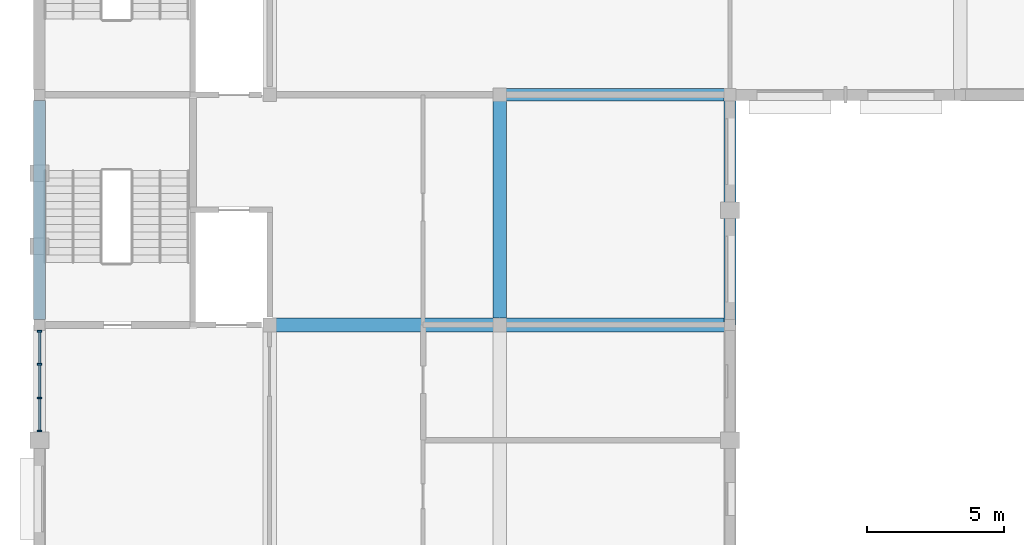
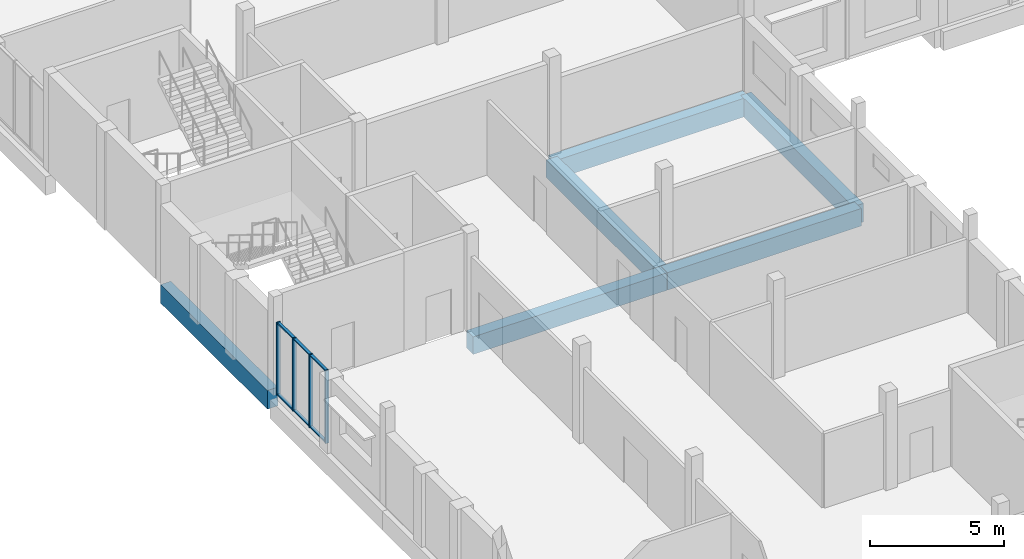
# One storey, part 6 of 38: 10 members, 6 beams, 1 element without a shape of its own.
"""IFC4 building model written with IfcOpenShell, lengths in metres."""

from ifc_helpers import new_model, si_unit, direction, frame, origin, origin_2d, place, context, subcontext, project, spatial, rectangle, extrude, material, material_profile, profile_set, type_object, element, aggregate, save


model = new_model("IFC4")

# Units and contexts
model_context = context("Model", 3, precision=1e-05, world=origin(), true_north=direction((0.0, 1.0)))
body_context = subcontext(model_context, "Body", "Model", "MODEL_VIEW")
ifc_project = project(units=[si_unit("LENGTHUNIT", "METRE"), si_unit("AREAUNIT", "SQUARE_METRE"), si_unit("VOLUMEUNIT", "CUBIC_METRE"), si_unit("PLANEANGLEUNIT", "RADIAN"), si_unit("MASSUNIT", "GRAM", prefix="KILO")], contexts=[model_context])

# Site, building, storey
site_placement = place(None, origin())
site = spatial("IfcSite", under=ifc_project, at=site_placement, CompositionType="ELEMENT")
building_placement = place(site_placement, origin())
building = spatial("IfcBuilding", under=site, at=building_placement, Name="Fescue Hill Polytechnic", CompositionType="ELEMENT")
storey_placement = place(building_placement, frame((0.0, 0.0, 18.0)))
storey = spatial("IfcBuildingStorey", under=building, at=storey_placement, Name="L04", CompositionType="ELEMENT", Elevation=18.0)

# Beams
ifc_material_1 = material(Name="Concrete 35 MPa", Category="concrete")
ifc_material_profile_1 = material_profile(ifc_material_1, rectangle(XDim=0.449951171875, YDim=0.85009765625, at=origin_2d()), Name="RC 450x850")
ifc_profile_set_1 = profile_set([ifc_material_profile_1], Name="Concrete 35 MPa")
beam_type_1 = type_object("IfcBeamType", Name="Beam RC 450x850", PredefinedType="BEAM", material=ifc_profile_set_1)
for number, where, z_axis, x_axis, name in (
    (1, (16.800048828125, 109.199951171875, -0.72509765625), (1.0, 0.0, 0.0), (0.0, 1.0, 0.0), "BM-L04-0039"),
    (2, (25.199951171875, 100.800048828125, -0.72509765625), (0.0, 1.0, 0.0), (-1.0, 0.0, 0.0), "BM-L04-0055"),
):
    element("IfcBeam", number, at=place(storey_placement, frame(where, z_axis=z_axis, x_axis=x_axis)), inside=storey, type_object=beam_type_1, Name=name, PredefinedType="BEAM", context=body_context, shape_type="SweptSolid", body=[
        extrude(rectangle(XDim=0.449951171875, YDim=0.85009765625, at=origin_2d()), origin(), (0.0, 0.0, 1.0), 8.39990234375),
    ])
beam_1_placement = place(storey_placement, frame((0.0, 101.0, -0.425048828125), z_axis=(0.0, 1.0, 0.0), x_axis=(-1.0, 0.0, 0.0)))
element("IfcBeam", 3, at=beam_1_placement, inside=storey, type_object=beam_type_1, Name="BM-L04-0122", PredefinedType="BEAM", context=body_context, shape_type="SweptSolid", body=[
    extrude(rectangle(XDim=0.449951171875, YDim=0.85009765625, at=origin_2d()), origin(), (0.0, 0.0, 1.0), 8.0),
])
ifc_material_profile_2 = material_profile(ifc_material_1, rectangle(XDim=0.5, YDim=0.800048828125, at=origin_2d()), Name="RC 500x800")
ifc_profile_set_2 = profile_set([ifc_material_profile_2], Name="Concrete 35 MPa")
beam_type_2 = type_object("IfcBeamType", Name="Beam RC 500x800", PredefinedType="BEAM", material=ifc_profile_set_2)
beam_2_placement = place(storey_placement, frame((8.409912109375, 100.800048828125, -0.699951171875), z_axis=(1.0, 0.0, 0.0), x_axis=(0.0, 1.0, 0.0)))
element("IfcBeam", 4, at=beam_2_placement, inside=storey, type_object=beam_type_2, Name="BM-L04-0029", PredefinedType="BEAM", context=body_context, shape_type="SweptSolid", body=[
    extrude(rectangle(XDim=0.5, YDim=0.800048828125, at=origin_2d()), origin(), (0.0, 0.0, 1.0), 8.380126953125),
])
beam_3_placement = place(storey_placement, frame((16.800048828125, 100.800048828125, -0.699951171875), z_axis=(0.0, 1.0, 0.0), x_axis=(-1.0, 0.0, 0.0)))
element("IfcBeam", 5, at=beam_3_placement, inside=storey, type_object=beam_type_2, Name="BM-L04-0038", PredefinedType="BEAM", context=body_context, shape_type="SweptSolid", body=[
    extrude(rectangle(XDim=0.5, YDim=0.800048828125, at=origin_2d()), origin(), (0.0, 0.0, 1.0), 8.39990234375),
])
beam_4_placement = place(storey_placement, frame((16.81005859375, 100.800048828125, -0.699951171875), z_axis=(1.0, 0.0, 0.0), x_axis=(0.0, 1.0, 0.0)))
element("IfcBeam", 6, at=beam_4_placement, inside=storey, type_object=beam_type_2, Name="BM-L04-0048", PredefinedType="BEAM", context=body_context, shape_type="SweptSolid", body=[
    extrude(rectangle(XDim=0.5, YDim=0.800048828125, at=origin_2d()), origin(), (0.0, 0.0, 1.0), 8.3798828125),
])

# Curtain wall, members
ifc_material_2 = material(Name="Glass", Category="glass")
curtain_wall_type = type_object("IfcCurtainWallType", Name="Curtain wall structural glazing", PredefinedType="NOTDEFINED", material=ifc_material_2)
curtain_wall_placement = place(storey_placement, origin())
curtain_wall = element("IfcCurtainWall", 7, at=curtain_wall_placement, inside=storey, type_object=curtain_wall_type, Name="CW-L04-V4-X2", PredefinedType="NOTDEFINED")
ifc_material_3 = material(Name="Powder-coated aluminium", Category="aluminium")
ifc_material_profile_3 = material_profile(ifc_material_3, rectangle(XDim=0.159912109375, YDim=0.06005859375, at=origin_2d()), Name="Mullion aluminium 60x160")
ifc_profile_set_3 = profile_set([ifc_material_profile_3], Name="Powder-coated aluminium")
member_type_1 = type_object("IfcMemberType", Name="Mullion aluminium 60x160", PredefinedType="MULLION", material=ifc_profile_set_3)
member_1_placement = place(storey_placement, frame((0.0, 100.570068359375, 0.0), z_axis=(0.0, 0.0, 1.0), x_axis=(1.0, 0.0, 0.0)))
member_1 = element("IfcMember", 8, at=member_1_placement, type_object=member_type_1, Name="CW130 mullion 1", PredefinedType="MULLION", context=body_context, shape_type="SweptSolid", body=[
    extrude(rectangle(XDim=0.159912109375, YDim=0.06005859375, at=origin_2d()), origin(), (0.0, 0.0, 1.0), 3.330078125),
])
member_2_placement = place(storey_placement, frame((0.0, 99.36669921875, 0.0), z_axis=(0.0, 0.0, 1.0), x_axis=(1.0, 0.0, 0.0)))
member_2 = element("IfcMember", 9, at=member_2_placement, type_object=member_type_1, Name="CW130 mullion 2", PredefinedType="MULLION", context=body_context, shape_type="SweptSolid", body=[
    extrude(rectangle(XDim=0.159912109375, YDim=0.06005859375, at=origin_2d()), origin(), (0.0, 0.0, 1.0), 3.330078125),
])
member_3_placement = place(storey_placement, frame((0.0, 98.13330078125, 0.0), z_axis=(0.0, 0.0, 1.0), x_axis=(1.0, 0.0, 0.0)))
member_3 = element("IfcMember", 10, at=member_3_placement, type_object=member_type_1, Name="CW130 mullion 3", PredefinedType="MULLION", context=body_context, shape_type="SweptSolid", body=[
    extrude(rectangle(XDim=0.159912109375, YDim=0.06005859375, at=origin_2d()), origin(), (0.0, 0.0, 1.0), 3.330078125),
])
member_4_placement = place(storey_placement, frame((0.0, 96.929931640625, 0.0), z_axis=(0.0, 0.0, 1.0), x_axis=(1.0, 0.0, 0.0)))
member_4 = element("IfcMember", 11, at=member_4_placement, type_object=member_type_1, Name="CW130 mullion 4", PredefinedType="MULLION", context=body_context, shape_type="SweptSolid", body=[
    extrude(rectangle(XDim=0.159912109375, YDim=0.06005859375, at=origin_2d()), origin(), (0.0, 0.0, 1.0), 3.330078125),
])
ifc_material_profile_4 = material_profile(ifc_material_3, rectangle(XDim=0.1201171875, YDim=0.06005859375, at=origin_2d()), Name="Transom aluminium 60x120")
ifc_profile_set_4 = profile_set([ifc_material_profile_4], Name="Powder-coated aluminium")
member_type_2 = type_object("IfcMemberType", Name="Transom aluminium 60x120", PredefinedType="USERDEFINED", material=ifc_profile_set_4)
member_5_placement = place(storey_placement, frame((0.0, 100.5400390625, 0.030029296875), z_axis=(0.0, -1.0, 0.0), x_axis=(1.0, 0.0, 0.0)))
member_5 = element("IfcMember", 12, at=member_5_placement, type_object=member_type_2, Name="CW130 transom 1.1", ObjectType="TRANSOM", PredefinedType="USERDEFINED", context=body_context, shape_type="SweptSolid", body=[
    extrude(rectangle(XDim=0.1201171875, YDim=0.06005859375, at=origin_2d()), origin(), (0.0, 0.0, 1.0), 1.143310546875),
])
member_6_placement = place(storey_placement, frame((0.0, 100.5400390625, 3.300048828125), z_axis=(0.0, -1.0, 0.0), x_axis=(1.0, 0.0, 0.0)))
member_6 = element("IfcMember", 13, at=member_6_placement, type_object=member_type_2, Name="CW130 transom 1.2", ObjectType="TRANSOM", PredefinedType="USERDEFINED", context=body_context, shape_type="SweptSolid", body=[
    extrude(rectangle(XDim=0.1201171875, YDim=0.06005859375, at=origin_2d()), origin(), (0.0, 0.0, 1.0), 1.143310546875),
])
member_7_placement = place(storey_placement, frame((0.0, 99.336669921875, 0.030029296875), z_axis=(0.0, -1.0, 0.0), x_axis=(1.0, 0.0, 0.0)))
member_7 = element("IfcMember", 14, at=member_7_placement, type_object=member_type_2, Name="CW130 transom 2.1", ObjectType="TRANSOM", PredefinedType="USERDEFINED", context=body_context, shape_type="SweptSolid", body=[
    extrude(rectangle(XDim=0.1201171875, YDim=0.06005859375, at=origin_2d()), origin(), (0.0, 0.0, 1.0), 1.17333984375),
])
member_8_placement = place(storey_placement, frame((0.0, 99.336669921875, 3.300048828125), z_axis=(0.0, -1.0, 0.0), x_axis=(1.0, 0.0, 0.0)))
member_8 = element("IfcMember", 15, at=member_8_placement, type_object=member_type_2, Name="CW130 transom 2.2", ObjectType="TRANSOM", PredefinedType="USERDEFINED", context=body_context, shape_type="SweptSolid", body=[
    extrude(rectangle(XDim=0.1201171875, YDim=0.06005859375, at=origin_2d()), origin(), (0.0, 0.0, 1.0), 1.17333984375),
])
member_9_placement = place(storey_placement, frame((0.0, 98.103271484375, 0.030029296875), z_axis=(0.0, -1.0, 0.0), x_axis=(1.0, 0.0, 0.0)))
member_9 = element("IfcMember", 16, at=member_9_placement, type_object=member_type_2, Name="CW130 transom 3.1", ObjectType="TRANSOM", PredefinedType="USERDEFINED", context=body_context, shape_type="SweptSolid", body=[
    extrude(rectangle(XDim=0.1201171875, YDim=0.06005859375, at=origin_2d()), origin(), (0.0, 0.0, 1.0), 1.143310546875),
])
member_10_placement = place(storey_placement, frame((0.0, 98.103271484375, 3.300048828125), z_axis=(0.0, -1.0, 0.0), x_axis=(1.0, 0.0, 0.0)))
member_10 = element("IfcMember", 17, at=member_10_placement, type_object=member_type_2, Name="CW130 transom 3.2", ObjectType="TRANSOM", PredefinedType="USERDEFINED", context=body_context, shape_type="SweptSolid", body=[
    extrude(rectangle(XDim=0.1201171875, YDim=0.06005859375, at=origin_2d()), origin(), (0.0, 0.0, 1.0), 1.143310546875),
])
aggregate(curtain_wall, [member_1, member_2, member_3, member_4, member_5, member_6, member_7, member_8, member_9, member_10])

save(model, "model.ifc")
